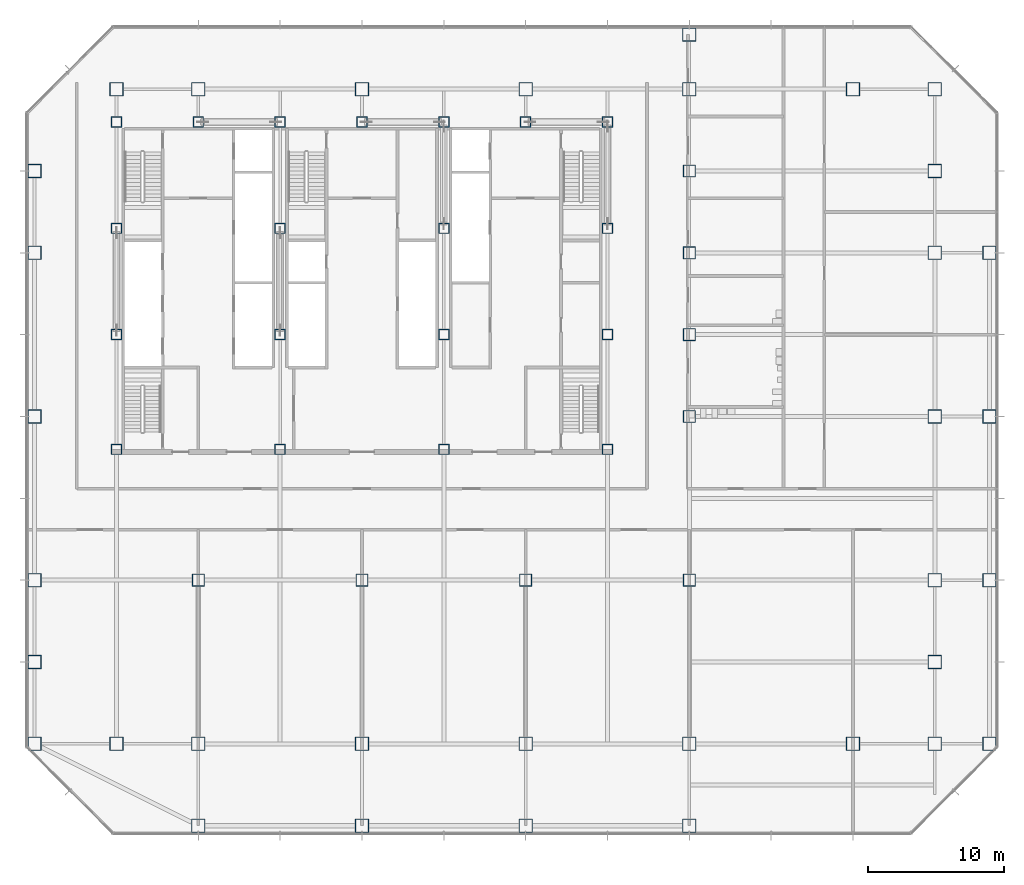
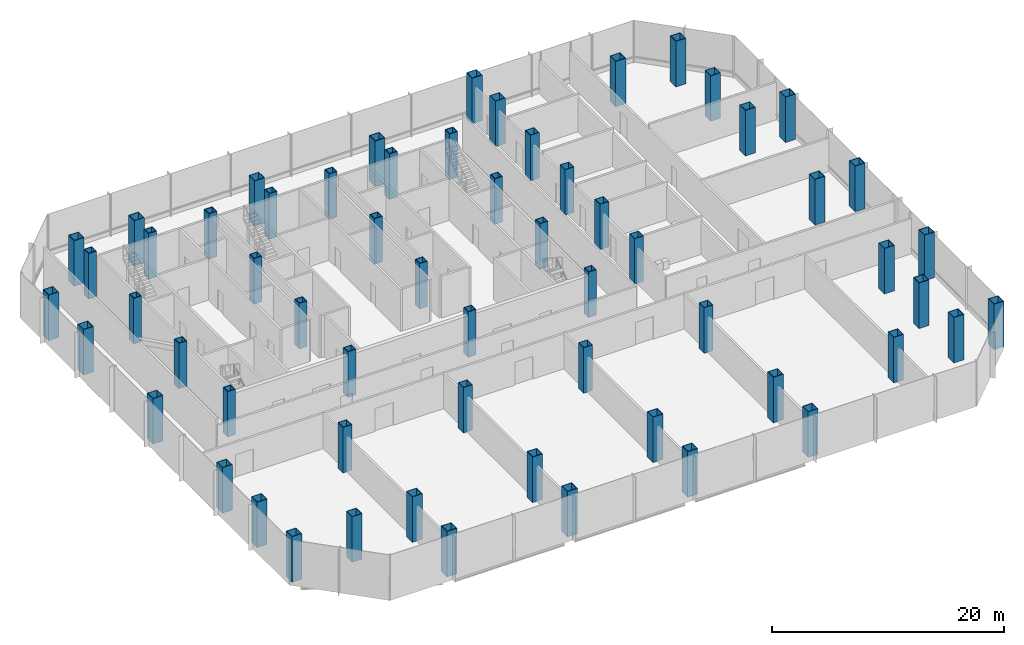
# One storey, part 1 of 33: 61 columns.
"""IFC4 building model written with IfcOpenShell, lengths in metres."""

from ifc_helpers import new_model, si_unit, direction, frame, origin, origin_2d, place, context, subcontext, project, spatial, hollow_rectangle, extrude, material, material_profile, profile_set, type_object, element, save


model = new_model("IFC4")

# Units and contexts
model_context = context("Model", 3, precision=1e-05, world=origin(), true_north=direction((0.0, 1.0)))
body_context = subcontext(model_context, "Body", "Model", "MODEL_VIEW")
ifc_project = project(units=[si_unit("LENGTHUNIT", "METRE"), si_unit("AREAUNIT", "SQUARE_METRE"), si_unit("VOLUMEUNIT", "CUBIC_METRE"), si_unit("PLANEANGLEUNIT", "RADIAN"), si_unit("MASSUNIT", "GRAM", prefix="KILO")], contexts=[model_context])

# Site, building, storey
site_placement = place(None, origin())
site = spatial("IfcSite", under=ifc_project, at=site_placement, CompositionType="ELEMENT")
building_placement = place(site_placement, origin())
building = spatial("IfcBuilding", under=site, at=building_placement, Name="Sorahane Residences", CompositionType="ELEMENT")
storey_placement = place(building_placement, frame((0.0, 0.0, 25.199951171875)))
storey = spatial("IfcBuildingStorey", under=building, at=storey_placement, Name="L03", CompositionType="ELEMENT", Elevation=25.199951171875)

# Columns
ifc_material_1 = material(Name="Steel Q420GJ", Category="steel")
ifc_material_profile_1 = material_profile(ifc_material_1, hollow_rectangle(XDim=1.0, YDim=1.0, WallThickness=0.050048828125, at=origin_2d()), Name="BOX 1000x1000x50")
ifc_profile_set_1 = profile_set([ifc_material_profile_1], Name="Steel Q420GJ")
column_type_1 = type_object("IfcColumnType", Name="Steel box column BOX 1000x1000x50 Q420GJ", PredefinedType="COLUMN", material=ifc_profile_set_1)
for number, where, z_axis, x_axis, name in (
    (1, (0.0, 0.0, 0.0), (0.0, 0.0, 1.0), (1.0, 0.0, 0.0), "Column L03 0/0"),
    (2, (0.0, 6.0, 0.0), (0.0, 0.0, 1.0), (1.0, 0.0, 0.0), "Column L03 m0/6"),
    (3, (0.0, 12.0, 0.0), (0.0, 0.0, 1.0), (1.0, 0.0, 0.0), "Column L03 m0/12"),
    (4, (0.0, 24.0, 0.0), (0.0, 0.0, 1.0), (1.0, 0.0, 0.0), "Column L03 m0/24"),
    (5, (0.0, 36.0, 0.0), (0.0, 0.0, 1.0), (1.0, 0.0, 0.0), "Column L03 m0/36"),
    (6, (0.0, 42.0, 0.0), (0.0, 0.0, 1.0), (1.0, 0.0, 0.0), "Column L03 m0/42"),
    (7, (6.0, 0.0, 0.0), (0.0, 0.0, 1.0), (1.0, 0.0, 0.0), "Column L03 6/0"),
    (8, (6.0, 48.0, 0.0), (0.0, 0.0, 1.0), (1.0, 0.0, 0.0), "Column L03 6/48"),
    (9, (12.0, -6.0, 0.0), (0.0, 0.0, 1.0), (1.0, 0.0, 0.0), "Column L03 12/m6"),
    (10, (12.0, 0.0, 0.0), (0.0, 0.0, 1.0), (1.0, 0.0, 0.0), "Column L03 12/0"),
    (11, (12.0, 48.0, 0.0), (0.0, 0.0, 1.0), (1.0, 0.0, 0.0), "Column L03 12/48"),
    (12, (24.0, -6.0, 0.0), (0.0, 0.0, 1.0), (1.0, 0.0, 0.0), "Column L03 24/m6"),
    (13, (24.0, 0.0, 0.0), (0.0, 0.0, 1.0), (1.0, 0.0, 0.0), "Column L03 24/0"),
    (14, (24.0, 48.0, 0.0), (0.0, 0.0, 1.0), (1.0, 0.0, 0.0), "Column L03 24/48"),
    (15, (36.0, -6.0, 0.0), (0.0, 0.0, 1.0), (1.0, 0.0, 0.0), "Column L03 36/m6"),
    (16, (36.0, 0.0, 0.0), (0.0, 0.0, 1.0), (1.0, 0.0, 0.0), "Column L03 36/0"),
    (17, (36.0, 48.0, 0.0), (0.0, 0.0, 1.0), (1.0, 0.0, 0.0), "Column L03 36/48"),
    (18, (48.0, -6.0, 0.0), (0.0, 0.0, 1.0), (1.0, 0.0, 0.0), "Column L03 48/m6"),
    (19, (48.0, 0.0, 0.0), (0.0, 0.0, 1.0), (1.0, 0.0, 0.0), "Column L03 48/0"),
    (20, (48.0, 48.0, 0.0), (0.0, 0.0, 1.0), (1.0, 0.0, 0.0), "Column L03 48/48"),
    (21, (48.0, 52.0, 0.0), (0.0, 0.0, 1.0), (1.0, 0.0, 0.0), "Column L03 48/52"),
    (22, (60.0, 0.0, 0.0), (0.0, 0.0, 1.0), (1.0, 0.0, 0.0), "Column L03 60/0"),
    (23, (60.0, 48.0, 0.0), (0.0, 0.0, 1.0), (1.0, 0.0, 0.0), "Column L03 60/48"),
    (24, (66.0, 0.0, 0.0), (0.0, 0.0, 1.0), (1.0, 0.0, 0.0), "Column L03 66/0"),
    (25, (66.0, 6.0, 0.0), (0.0, 0.0, 1.0), (1.0, 0.0, 0.0), "Column L03 66/6"),
    (26, (66.0, 12.0, 0.0), (0.0, 0.0, 1.0), (1.0, 0.0, 0.0), "Column L03 66/12"),
    (27, (66.0, 24.0, 0.0), (0.0, 0.0, 1.0), (1.0, 0.0, 0.0), "Column L03 66/24"),
    (28, (66.0, 36.0, 0.0), (0.0, 0.0, 1.0), (1.0, 0.0, 0.0), "Column L03 66/36"),
    (29, (66.0, 42.0, 0.0), (0.0, 0.0, 1.0), (1.0, 0.0, 0.0), "Column L03 66/42"),
    (30, (66.0, 48.0, 0.0), (0.0, 0.0, 1.0), (1.0, 0.0, 0.0), "Column L03 66/48"),
    (31, (70.0, 0.0, 0.0), (0.0, 0.0, 1.0), (1.0, 0.0, 0.0), "Column L03 70/0"),
    (32, (70.0, 12.0, 0.0), (0.0, 0.0, 1.0), (1.0, 0.0, 0.0), "Column L03 70/12"),
    (33, (70.0, 24.0, 0.0), (0.0, 0.0, 1.0), (1.0, 0.0, 0.0), "Column L03 70/24"),
    (34, (70.0, 36.0, 0.0), (0.0, 0.0, 1.0), (1.0, 0.0, 0.0), "Column L03 70/36"),
):
    element("IfcColumn", number, at=place(storey_placement, frame(where, z_axis=z_axis, x_axis=x_axis)), inside=storey, type_object=column_type_1, Name=name, PredefinedType="COLUMN", context=body_context, shape_type="SweptSolid", body=[
        extrude(hollow_rectangle(XDim=1.0, YDim=1.0, WallThickness=0.050048828125, at=origin_2d()), origin(), (0.0, 0.0, 1.0), 4.800048828125),
    ])
ifc_material_2 = material(Name="Steel Q420GJ", Category="steel")
ifc_material_profile_2 = material_profile(ifc_material_2, hollow_rectangle(XDim=0.800048828125, YDim=0.800048828125, WallThickness=0.070068359375, at=origin_2d()), Name="BOX 800x800x70")
ifc_profile_set_2 = profile_set([ifc_material_profile_2], Name="Steel Q420GJ")
column_type_2 = type_object("IfcColumnType", Name="Steel box column BOX 800x800x70 Q420GJ", PredefinedType="COLUMN", material=ifc_profile_set_2)
for number, where, z_axis, x_axis, name in (
    (35, (6.0, 21.60009765625, 0.0), (0.0, 0.0, 1.0), (1.0, 0.0, 0.0), "Column L03 6/21.6"),
    (36, (6.0, 30.0, 0.0), (0.0, 0.0, 1.0), (1.0, 0.0, 0.0), "Column L03 6/30"),
    (37, (6.0, 37.800048828125, 0.0), (0.0, 0.0, 1.0), (1.0, 0.0, 0.0), "Column L03 6/37.8"),
    (38, (6.0, 45.60009765625, 0.0), (0.0, 0.0, 1.0), (1.0, 0.0, 0.0), "Column L03 6/45.6"),
    (39, (12.0, 45.60009765625, 0.0), (0.0, 0.0, 1.0), (1.0, 0.0, 0.0), "Column L03 12/45.6"),
    (40, (18.0, 21.60009765625, 0.0), (0.0, 0.0, 1.0), (1.0, 0.0, 0.0), "Column L03 18/21.6"),
    (41, (18.0, 30.0, 0.0), (0.0, 0.0, 1.0), (1.0, 0.0, 0.0), "Column L03 18/30"),
    (42, (18.0, 37.800048828125, 0.0), (0.0, 0.0, 1.0), (1.0, 0.0, 0.0), "Column L03 18/37.8"),
    (43, (18.0, 45.60009765625, 0.0), (0.0, 0.0, 1.0), (1.0, 0.0, 0.0), "Column L03 18/45.6"),
    (44, (24.0, 45.60009765625, 0.0), (0.0, 0.0, 1.0), (1.0, 0.0, 0.0), "Column L03 24/45.6"),
    (45, (30.0, 21.60009765625, 0.0), (0.0, 0.0, 1.0), (1.0, 0.0, 0.0), "Column L03 30/21.6"),
    (46, (30.0, 30.0, 0.0), (0.0, 0.0, 1.0), (1.0, 0.0, 0.0), "Column L03 30/30"),
    (47, (30.0, 37.800048828125, 0.0), (0.0, 0.0, 1.0), (1.0, 0.0, 0.0), "Column L03 30/37.8"),
    (48, (30.0, 45.60009765625, 0.0), (0.0, 0.0, 1.0), (1.0, 0.0, 0.0), "Column L03 30/45.6"),
    (49, (36.0, 45.60009765625, 0.0), (0.0, 0.0, 1.0), (1.0, 0.0, 0.0), "Column L03 36/45.6"),
    (50, (42.0, 21.60009765625, 0.0), (0.0, 0.0, 1.0), (1.0, 0.0, 0.0), "Column L03 42/21.6"),
    (51, (42.0, 30.0, 0.0), (0.0, 0.0, 1.0), (1.0, 0.0, 0.0), "Column L03 42/30"),
    (52, (42.0, 37.800048828125, 0.0), (0.0, 0.0, 1.0), (1.0, 0.0, 0.0), "Column L03 42/37.8"),
    (53, (42.0, 45.60009765625, 0.0), (0.0, 0.0, 1.0), (1.0, 0.0, 0.0), "Column L03 42/45.6"),
):
    element("IfcColumn", number, at=place(storey_placement, frame(where, z_axis=z_axis, x_axis=x_axis)), inside=storey, type_object=column_type_2, Name=name, PredefinedType="COLUMN", context=body_context, shape_type="SweptSolid", body=[
        extrude(hollow_rectangle(XDim=0.800048828125, YDim=0.800048828125, WallThickness=0.070068359375, at=origin_2d()), origin(), (0.0, 0.0, 1.0), 4.800048828125),
    ])
ifc_material_3 = material(Name="Steel Q420GJ", Category="steel")
ifc_material_profile_3 = material_profile(ifc_material_3, hollow_rectangle(XDim=0.89990234375, YDim=0.89990234375, WallThickness=0.044921875, at=origin_2d()), Name="BOX 900x900x45")
ifc_profile_set_3 = profile_set([ifc_material_profile_3], Name="Steel Q420GJ")
column_type_3 = type_object("IfcColumnType", Name="Steel box column BOX 900x900x45 Q420GJ", PredefinedType="COLUMN", material=ifc_profile_set_3)
for number, where, z_axis, x_axis, name in (
    (54, (12.0, 12.0, 0.0), (0.0, 0.0, 1.0), (1.0, 0.0, 0.0), "Column L03 12/12"),
    (55, (24.0, 12.0, 0.0), (0.0, 0.0, 1.0), (1.0, 0.0, 0.0), "Column L03 24/12"),
    (56, (36.0, 12.0, 0.0), (0.0, 0.0, 1.0), (1.0, 0.0, 0.0), "Column L03 36/12"),
    (57, (48.0, 12.0, 0.0), (0.0, 0.0, 1.0), (1.0, 0.0, 0.0), "Column L03 48/12"),
    (58, (48.0, 24.0, 0.0), (0.0, 0.0, 1.0), (1.0, 0.0, 0.0), "Column L03 48/24"),
    (59, (48.0, 30.0, 0.0), (0.0, 0.0, 1.0), (1.0, 0.0, 0.0), "Column L03 48/30"),
    (60, (48.0, 36.0, 0.0), (0.0, 0.0, 1.0), (1.0, 0.0, 0.0), "Column L03 48/36"),
    (61, (48.0, 42.0, 0.0), (0.0, 0.0, 1.0), (1.0, 0.0, 0.0), "Column L03 48/42"),
):
    element("IfcColumn", number, at=place(storey_placement, frame(where, z_axis=z_axis, x_axis=x_axis)), inside=storey, type_object=column_type_3, Name=name, PredefinedType="COLUMN", context=body_context, shape_type="SweptSolid", body=[
        extrude(hollow_rectangle(XDim=0.89990234375, YDim=0.89990234375, WallThickness=0.044921875, at=origin_2d()), origin(), (0.0, 0.0, 1.0), 4.800048828125),
    ])

save(model, "model.ifc")
